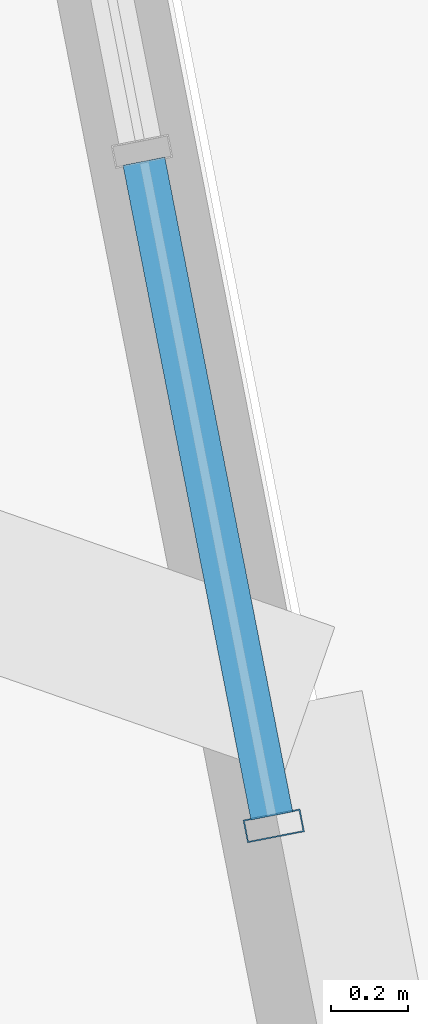
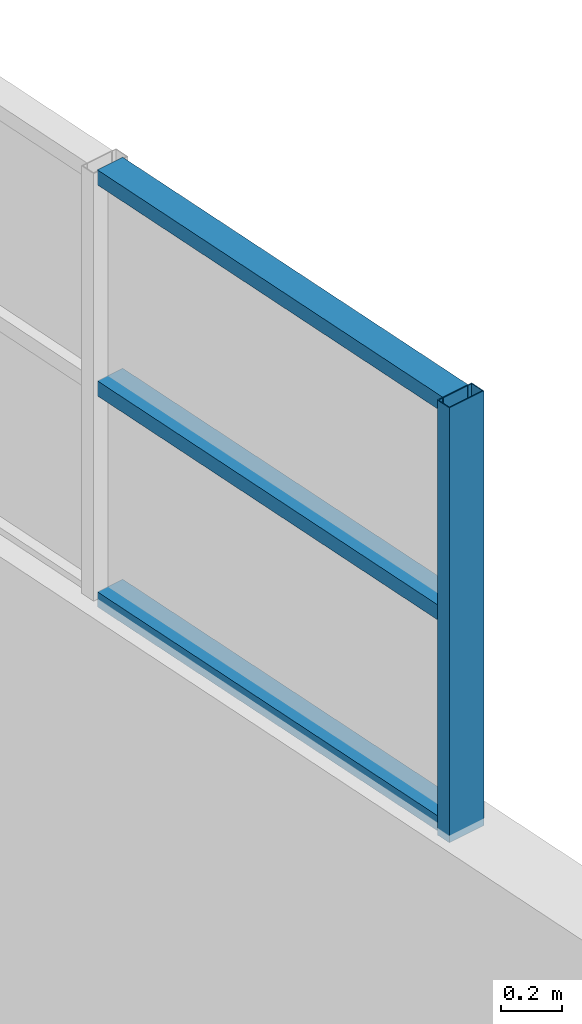
# One storey, part 29 of 142: 4 members, 1 element without a shape of its own.
"""IFC4 building model written with IfcOpenShell, lengths in metres."""

from ifc_helpers import new_model, si_unit, direction, frame, origin, origin_2d, place, context, subcontext, project, spatial, hollow_rectangle, extrude, material, layer, layer_set, material_profile, profile_set, type_object, element, aggregate, save


model = new_model("IFC4")

# Units and contexts
model_context = context("Model", 3, precision=1e-05, world=origin(), true_north=direction((0.0, 1.0)))
body_context = subcontext(model_context, "Body", "Model", "MODEL_VIEW")
ifc_project = project(units=[si_unit("LENGTHUNIT", "METRE"), si_unit("AREAUNIT", "SQUARE_METRE"), si_unit("VOLUMEUNIT", "CUBIC_METRE"), si_unit("PLANEANGLEUNIT", "RADIAN"), si_unit("MASSUNIT", "GRAM", prefix="KILO"), si_unit("THERMODYNAMICTEMPERATUREUNIT", "KELVIN"), si_unit("POWERUNIT", "WATT")], contexts=[model_context])

# Site, building, storey
site_placement = place(None, origin())
site = spatial("IfcSite", under=ifc_project, at=site_placement, CompositionType="ELEMENT")
building_placement = place(site_placement, origin())
building = spatial("IfcBuilding", under=site, at=building_placement, Name="Zelmaris Science Centre", CompositionType="ELEMENT")
storey_placement = place(building_placement, frame((0.0, 0.0, 5.39990234375)))
storey = spatial("IfcBuildingStorey", under=building, at=storey_placement, Name="L01", CompositionType="ELEMENT", Elevation=5.39990234375)

# Curtain wall, members
ifc_material = material(Name="Anodised architectural aluminium 6063-T6", Category="aluminium")
ifc_layer = layer(ifc_material, 0.219970703125, Name="Anodised architectural aluminium 6063-T6")
ifc_layer_set = layer_set([ifc_layer], Name="Anodised architectural aluminium 6063-T6")
curtain_wall_type = type_object("IfcCurtainWallType", Name="Curtain Wall CW-04", PredefinedType="USERDEFINED", material=ifc_layer_set)
curtain_wall_placement = place(storey_placement, origin())
curtain_wall = element("IfcCurtainWall", 1, at=curtain_wall_placement, inside=storey, type_object=curtain_wall_type, Name="L01 Clerestory curtain wall 176", ObjectType="GLAZED CURTAIN WALL", PredefinedType="USERDEFINED")
ifc_material_profile_1 = material_profile(ifc_material, hollow_rectangle(XDim=0.06005859375, YDim=0.14990234375, WallThickness=0.00341796875, at=origin_2d()), Name="ALU-MUL-60X150")
ifc_profile_set_1 = profile_set([ifc_material_profile_1], Name="Anodised architectural aluminium 6063-T6")
member_type_1 = type_object("IfcMemberType", Name="ALU-MUL-60X150", PredefinedType="MULLION", material=ifc_profile_set_1)
member_1_placement = place(storey_placement, frame((96.939453125, 38.7353515625, 2.420166015625), z_axis=(0.0, 0.0, 1.0), x_axis=(0.191749488828, -0.981443902388, 0.0)))
member_1 = element("IfcMember", 2, at=member_1_placement, type_object=member_type_1, Name="CW-04 mullion 5", PredefinedType="MULLION", context=body_context, shape_type="SweptSolid", body=[
    extrude(hollow_rectangle(XDim=0.06005859375, YDim=0.14990234375, WallThickness=0.00341796875, at=origin_2d()), origin(), (0.0, 0.0, 1.0), 1.739013671875),
])
ifc_material_profile_2 = material_profile(ifc_material, hollow_rectangle(XDim=0.06005859375, YDim=0.110107421875, WallThickness=0.0029296875, at=origin_2d()), Name="ALU-TRN-60X110")
ifc_profile_set_2 = profile_set([ifc_material_profile_2], Name="Anodised architectural aluminium 6063-T6")
member_type_2 = type_object("IfcMemberType", Name="ALU-TRN-60X110", PredefinedType="USERDEFINED", material=ifc_profile_set_2)
member_2_placement = place(storey_placement, frame((96.604248046875, 40.450927734375, 2.446044921875), z_axis=(0.19183348611, -0.981427487697, 0.0), x_axis=(0.0, 0.0, 1.0)))
member_2 = element("IfcMember", 3, at=member_2_placement, type_object=member_type_2, Name="CW-04 transom 4.1", ObjectType="TRANSOM", PredefinedType="USERDEFINED", context=body_context, shape_type="SweptSolid", body=[
    extrude(hollow_rectangle(XDim=0.06005859375, YDim=0.110107421875, WallThickness=0.0029296875, at=origin_2d()), origin(), (0.0, 0.0, 1.0), 1.721923828125),
])
member_3_placement = place(storey_placement, frame((96.604248046875, 40.450927734375, 3.28955078125), z_axis=(0.19183348611, -0.981427487697, 0.0), x_axis=(0.0, 0.0, 1.0)))
member_3 = element("IfcMember", 4, at=member_3_placement, type_object=member_type_2, Name="CW-04 transom 4.2", ObjectType="TRANSOM", PredefinedType="USERDEFINED", context=body_context, shape_type="SweptSolid", body=[
    extrude(hollow_rectangle(XDim=0.06005859375, YDim=0.110107421875, WallThickness=0.0029296875, at=origin_2d()), origin(), (0.0, 0.0, 1.0), 1.721923828125),
])
member_4_placement = place(storey_placement, frame((96.604248046875, 40.450927734375, 4.133056640625), z_axis=(0.19183348611, -0.981427487697, 0.0), x_axis=(0.0, 0.0, 1.0)))
member_4 = element("IfcMember", 5, at=member_4_placement, type_object=member_type_2, Name="CW-04 transom 4.3", ObjectType="TRANSOM", PredefinedType="USERDEFINED", context=body_context, shape_type="SweptSolid", body=[
    extrude(hollow_rectangle(XDim=0.06005859375, YDim=0.110107421875, WallThickness=0.0029296875, at=origin_2d()), origin(), (0.0, 0.0, 1.0), 1.721923828125),
])
aggregate(curtain_wall, [member_1, member_2, member_3, member_4])

save(model, "model.ifc")
